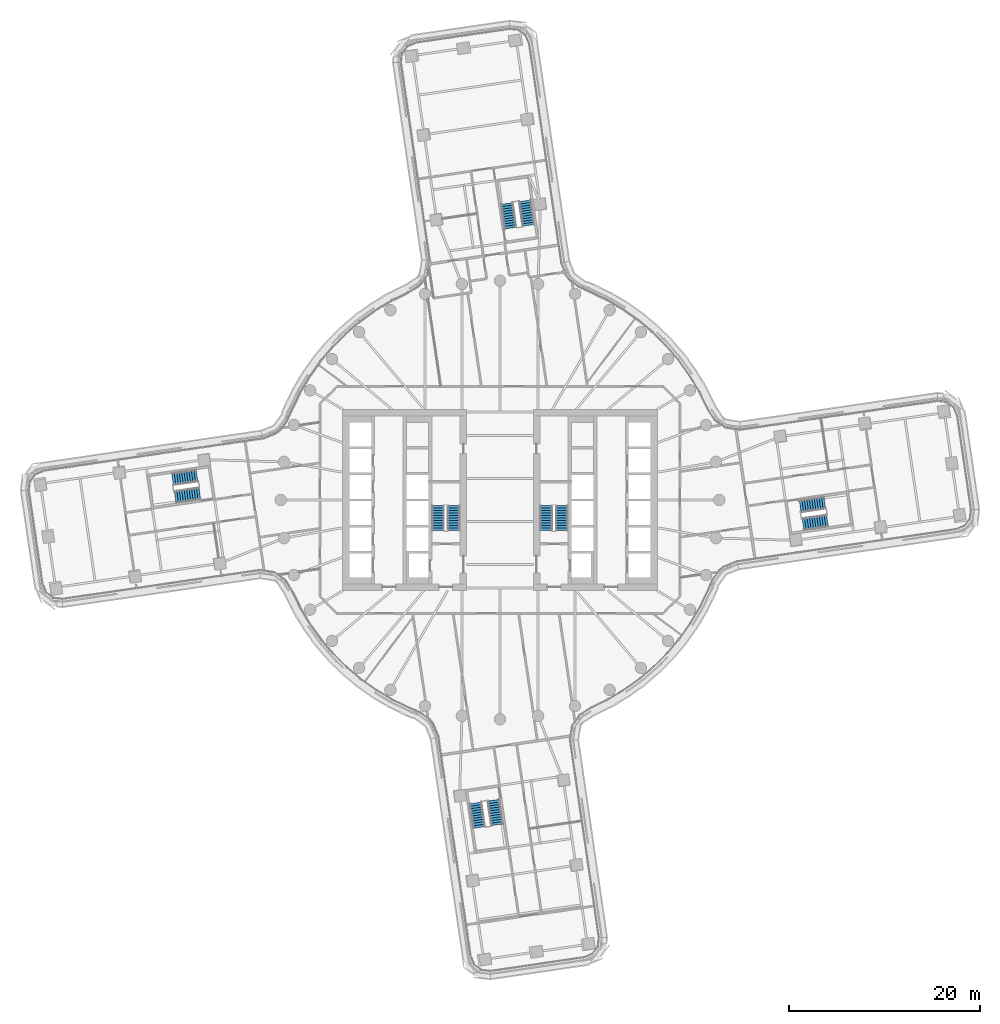
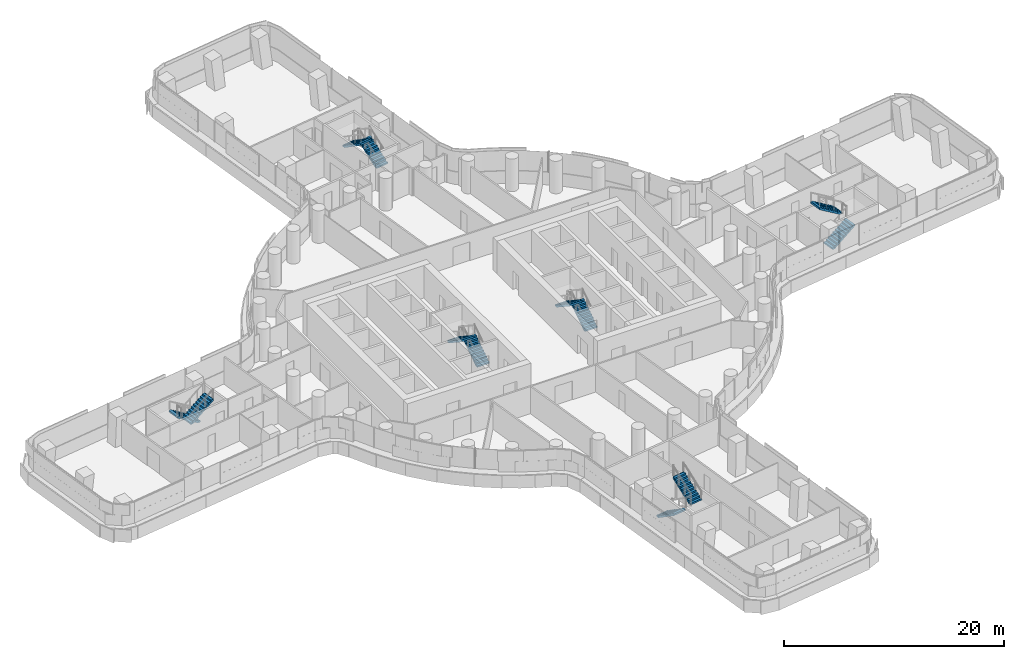
# One storey, part 24 of 31: 12 stair flights, 6 elements without a shape of their own.
"""IFC4 building model written with IfcOpenShell, lengths in metres."""

from ifc_helpers import new_model, si_unit, direction, frame, origin, place, context, subcontext, project, spatial, polyline, outline, extrude, material, type_object, element, aggregate, save


model = new_model("IFC4")

# Units and contexts
model_context = context("Model", 3, precision=1e-05, world=origin(), true_north=direction((0.0, 1.0)))
body_context = subcontext(model_context, "Body", "Model", "MODEL_VIEW")
ifc_project = project(units=[si_unit("LENGTHUNIT", "METRE"), si_unit("AREAUNIT", "SQUARE_METRE"), si_unit("VOLUMEUNIT", "CUBIC_METRE"), si_unit("PLANEANGLEUNIT", "RADIAN"), si_unit("MASSUNIT", "GRAM", prefix="KILO")], contexts=[model_context])

# Site, building, storey
site_placement = place(None, origin())
site = spatial("IfcSite", under=ifc_project, at=site_placement, CompositionType="ELEMENT")
building_placement = place(site_placement, origin())
building = spatial("IfcBuilding", under=site, at=building_placement, Name="Tamarind Cross Interchange Tower", CompositionType="ELEMENT")
storey_placement = place(building_placement, frame((0.0, 0.0, 64.0)))
storey = spatial("IfcBuildingStorey", under=building, at=storey_placement, Name="L14", CompositionType="ELEMENT", Elevation=64.0)

# Stair, stair flights
ifc_material_1 = material(Name="Exit stair")
stair_type = type_object("IfcStairType", Name="Exit stair", PredefinedType="HALF_TURN_STAIR", material=ifc_material_1)
stair_1_placement = place(storey_placement, origin())
stair_1 = element("IfcStair", 1, at=stair_1_placement, inside=storey, type_object=stair_type, Name="L14 exit stair ST1", PredefinedType="HALF_TURN_STAIR")
ifc_material_2 = material(Name="Exit stair flight")
stair_flight_type = type_object("IfcStairFlightType", Name="Exit stair flight", PredefinedType="STRAIGHT", material=ifc_material_2)
stair_flight_1_placement = place(storey_placement, frame((-4.85009765625, -3.199951171875, 0.0), z_axis=(0.0, 0.0, 1.0), x_axis=(0.0, 1.0, 0.0)))
stair_flight_1 = element("IfcStairFlight", 2, at=stair_flight_1_placement, type_object=stair_flight_type, Name="ST1 flight 1", NumberOfRisers=11, NumberOfTreads=10, PredefinedType="STRAIGHT", RiserHeight=0.170454545, TreadLength=0.26, context=body_context, shape_type="SweptSolid", body=[
    extrude(outline(polyline([(0.0, 0.0), (0.0, 0.17041015625), (0.260009765625, 0.17041015625), (0.260009765625, 0.3408203125), (0.52001953125, 0.3408203125), (0.52001953125, 0.511474609375), (0.780029296875, 0.511474609375), (0.780029296875, 0.681884765625), (1.0400390625, 0.681884765625), (1.0400390625, 0.852294921875), (1.300048828125, 0.852294921875), (1.300048828125, 1.022705078125), (1.56005859375, 1.022705078125), (1.56005859375, 1.193115234375), (1.820068359375, 1.193115234375), (1.820068359375, 1.363525390625), (2.080078125, 1.363525390625), (2.080078125, 1.5341796875), (2.340087890625, 1.5341796875), (2.340087890625, 1.70458984375), (2.60009765625, 1.70458984375), (2.60009765625, 1.875), (2.60009765625, 1.525390625), (0.2734375, 0.0), (0.0, 0.0)])), frame((0.0, 0.64990234375, 0.0), z_axis=(0.0, -1.0, 0.0), x_axis=(1.0, 0.0, 0.0)), (0.0, 0.0, 1.0), 1.300048828125),
])
stair_flight_2_placement = place(storey_placement, frame((-6.5, -0.60009765625, 1.875), z_axis=(0.0, 0.0, 1.0), x_axis=(0.0, -1.0, 0.0)))
stair_flight_2 = element("IfcStairFlight", 3, at=stair_flight_2_placement, type_object=stair_flight_type, Name="ST1 flight 2", NumberOfRisers=11, NumberOfTreads=10, PredefinedType="STRAIGHT", RiserHeight=0.170454545, TreadLength=0.26, context=body_context, shape_type="SweptSolid", body=[
    extrude(outline(polyline([(0.0, 0.0), (0.0, 0.17041015625), (0.260009765625, 0.17041015625), (0.260009765625, 0.3408203125), (0.52001953125, 0.3408203125), (0.52001953125, 0.511474609375), (0.780029296875, 0.511474609375), (0.780029296875, 0.681884765625), (1.0400390625, 0.681884765625), (1.0400390625, 0.852294921875), (1.300048828125, 0.852294921875), (1.300048828125, 1.022705078125), (1.56005859375, 1.022705078125), (1.56005859375, 1.193115234375), (1.820068359375, 1.193115234375), (1.820068359375, 1.363525390625), (2.080078125, 1.363525390625), (2.080078125, 1.5341796875), (2.340087890625, 1.5341796875), (2.340087890625, 1.70458984375), (2.60009765625, 1.70458984375), (2.60009765625, 1.7548828125), (2.612060546875, 1.7548828125), (2.612060546875, 1.533203125), (0.2734375, 0.0), (0.0, 0.0)])), frame((0.0, 0.64990234375, 0.0), z_axis=(0.0, -1.0, 0.0), x_axis=(1.0, 0.0, 0.0)), (0.0, 0.0, 1.0), 1.300048828125),
])
aggregate(stair_1, [stair_flight_1, stair_flight_2])

stair_2_placement = place(storey_placement, origin())
stair_2 = element("IfcStair", 4, at=stair_2_placement, inside=storey, type_object=stair_type, Name="L14 exit stair ST2", PredefinedType="HALF_TURN_STAIR")
stair_flight_3_placement = place(storey_placement, frame((6.5, -3.199951171875, 0.0), z_axis=(0.0, 0.0, 1.0), x_axis=(0.0, 1.0, 0.0)))
stair_flight_3 = element("IfcStairFlight", 5, at=stair_flight_3_placement, type_object=stair_flight_type, Name="ST2 flight 1", NumberOfRisers=11, NumberOfTreads=10, PredefinedType="STRAIGHT", RiserHeight=0.170454545, TreadLength=0.26, context=body_context, shape_type="SweptSolid", body=[
    extrude(outline(polyline([(0.0, 0.0), (0.0, 0.17041015625), (0.260009765625, 0.17041015625), (0.260009765625, 0.3408203125), (0.52001953125, 0.3408203125), (0.52001953125, 0.511474609375), (0.780029296875, 0.511474609375), (0.780029296875, 0.681884765625), (1.0400390625, 0.681884765625), (1.0400390625, 0.852294921875), (1.300048828125, 0.852294921875), (1.300048828125, 1.022705078125), (1.56005859375, 1.022705078125), (1.56005859375, 1.193115234375), (1.820068359375, 1.193115234375), (1.820068359375, 1.363525390625), (2.080078125, 1.363525390625), (2.080078125, 1.5341796875), (2.340087890625, 1.5341796875), (2.340087890625, 1.70458984375), (2.60009765625, 1.70458984375), (2.60009765625, 1.875), (2.60009765625, 1.525390625), (0.2734375, 0.0), (0.0, 0.0)])), frame((0.0, 0.64990234375, 0.0), z_axis=(0.0, -1.0, 0.0), x_axis=(1.0, 0.0, 0.0)), (0.0, 0.0, 1.0), 1.300048828125),
])
stair_flight_4_placement = place(storey_placement, frame((4.85009765625, -0.60009765625, 1.875), z_axis=(0.0, 0.0, 1.0), x_axis=(0.0, -1.0, 0.0)))
stair_flight_4 = element("IfcStairFlight", 6, at=stair_flight_4_placement, type_object=stair_flight_type, Name="ST2 flight 2", NumberOfRisers=11, NumberOfTreads=10, PredefinedType="STRAIGHT", RiserHeight=0.170454545, TreadLength=0.26, context=body_context, shape_type="SweptSolid", body=[
    extrude(outline(polyline([(0.0, 0.0), (0.0, 0.17041015625), (0.260009765625, 0.17041015625), (0.260009765625, 0.3408203125), (0.52001953125, 0.3408203125), (0.52001953125, 0.511474609375), (0.780029296875, 0.511474609375), (0.780029296875, 0.681884765625), (1.0400390625, 0.681884765625), (1.0400390625, 0.852294921875), (1.300048828125, 0.852294921875), (1.300048828125, 1.022705078125), (1.56005859375, 1.022705078125), (1.56005859375, 1.193115234375), (1.820068359375, 1.193115234375), (1.820068359375, 1.363525390625), (2.080078125, 1.363525390625), (2.080078125, 1.5341796875), (2.340087890625, 1.5341796875), (2.340087890625, 1.70458984375), (2.60009765625, 1.70458984375), (2.60009765625, 1.7548828125), (2.612060546875, 1.7548828125), (2.612060546875, 1.533203125), (0.2734375, 0.0), (0.0, 0.0)])), frame((0.0, 0.64990234375, 0.0), z_axis=(0.0, -1.0, 0.0), x_axis=(1.0, 0.0, 0.0)), (0.0, 0.0, 1.0), 1.300048828125),
])
aggregate(stair_2, [stair_flight_3, stair_flight_4])

stair_3_placement = place(storey_placement, origin())
stair_3 = element("IfcStair", 7, at=stair_3_placement, inside=storey, type_object=stair_type, Name="L14 exit stair ST3", PredefinedType="HALF_TURN_STAIR")
stair_flight_5_placement = place(storey_placement, frame((31.775390625, -2.55615234375, 0.0), z_axis=(0.0, 0.0, 1.0), x_axis=(0.989378136803, 0.14536472205, 0.0)))
stair_flight_5 = element("IfcStairFlight", 8, at=stair_flight_5_placement, type_object=stair_flight_type, Name="ST3 flight 1", NumberOfRisers=11, NumberOfTreads=10, PredefinedType="STRAIGHT", RiserHeight=0.170454545, TreadLength=0.26, context=body_context, shape_type="SweptSolid", body=[
    extrude(outline(polyline([(0.0, 0.0), (0.0, 0.17041015625), (0.260009765625, 0.17041015625), (0.260009765625, 0.3408203125), (0.52001953125, 0.3408203125), (0.52001953125, 0.511474609375), (0.780029296875, 0.511474609375), (0.780029296875, 0.681884765625), (1.0400390625, 0.681884765625), (1.0400390625, 0.852294921875), (1.300048828125, 0.852294921875), (1.300048828125, 1.022705078125), (1.56005859375, 1.022705078125), (1.56005859375, 1.193115234375), (1.820068359375, 1.193115234375), (1.820068359375, 1.363525390625), (2.080078125, 1.363525390625), (2.080078125, 1.5341796875), (2.340087890625, 1.5341796875), (2.340087890625, 1.70458984375), (2.60009765625, 1.70458984375), (2.60009765625, 1.875), (2.60009765625, 1.525390625), (0.2734375, 0.0), (0.0, 0.0)])), frame((0.0, 0.64990234375, 0.0), z_axis=(0.0, -1.0, 0.0), x_axis=(1.0, 0.0, 0.0)), (0.0, 0.0, 1.0), 1.300048828125),
])
stair_flight_6_placement = place(storey_placement, frame((34.071533203125, -0.29833984375, 1.875), z_axis=(0.0, 0.0, 1.0), x_axis=(-0.989378136803, -0.14536472205, 0.0)))
stair_flight_6 = element("IfcStairFlight", 9, at=stair_flight_6_placement, type_object=stair_flight_type, Name="ST3 flight 2", NumberOfRisers=11, NumberOfTreads=10, PredefinedType="STRAIGHT", RiserHeight=0.170454545, TreadLength=0.26, context=body_context, shape_type="SweptSolid", body=[
    extrude(outline(polyline([(0.0, 0.0), (0.0, 0.17041015625), (0.260009765625, 0.17041015625), (0.260009765625, 0.3408203125), (0.52001953125, 0.3408203125), (0.52001953125, 0.511474609375), (0.780029296875, 0.511474609375), (0.780029296875, 0.681884765625), (1.0400390625, 0.681884765625), (1.0400390625, 0.852294921875), (1.300048828125, 0.852294921875), (1.300048828125, 1.022705078125), (1.56005859375, 1.022705078125), (1.56005859375, 1.193115234375), (1.820068359375, 1.193115234375), (1.820068359375, 1.363525390625), (2.080078125, 1.363525390625), (2.080078125, 1.5341796875), (2.340087890625, 1.5341796875), (2.340087890625, 1.70458984375), (2.60009765625, 1.70458984375), (2.60009765625, 1.7548828125), (2.612060546875, 1.7548828125), (2.612060546875, 1.533203125), (0.2734375, 0.0), (0.0, 0.0)])), frame((0.0, 0.64990234375, 0.0), z_axis=(0.0, -1.0, 0.0), x_axis=(1.0, 0.0, 0.0)), (0.0, 0.0, 1.0), 1.300048828125),
])
aggregate(stair_3, [stair_flight_5, stair_flight_6])

stair_4_placement = place(storey_placement, origin())
stair_4 = element("IfcStair", 10, at=stair_4_placement, inside=storey, type_object=stair_type, Name="L14 exit stair ST4", PredefinedType="HALF_TURN_STAIR")
stair_flight_7_placement = place(storey_placement, frame((2.9921875, 28.807373046875, 0.0), z_axis=(0.0, 0.0, 1.0), x_axis=(-0.14536472205, 0.989378136803, 0.0)))
stair_flight_7 = element("IfcStairFlight", 11, at=stair_flight_7_placement, type_object=stair_flight_type, Name="ST4 flight 1", NumberOfRisers=11, NumberOfTreads=10, PredefinedType="STRAIGHT", RiserHeight=0.170454545, TreadLength=0.26, context=body_context, shape_type="SweptSolid", body=[
    extrude(outline(polyline([(0.0, 0.0), (0.0, 0.17041015625), (0.260009765625, 0.17041015625), (0.260009765625, 0.3408203125), (0.52001953125, 0.3408203125), (0.52001953125, 0.511474609375), (0.780029296875, 0.511474609375), (0.780029296875, 0.681884765625), (1.0400390625, 0.681884765625), (1.0400390625, 0.852294921875), (1.300048828125, 0.852294921875), (1.300048828125, 1.022705078125), (1.56005859375, 1.022705078125), (1.56005859375, 1.193115234375), (1.820068359375, 1.193115234375), (1.820068359375, 1.363525390625), (2.080078125, 1.363525390625), (2.080078125, 1.5341796875), (2.340087890625, 1.5341796875), (2.340087890625, 1.70458984375), (2.60009765625, 1.70458984375), (2.60009765625, 1.875), (2.60009765625, 1.525390625), (0.2734375, 0.0), (0.0, 0.0)])), frame((0.0, 0.64990234375, 0.0), z_axis=(0.0, -1.0, 0.0), x_axis=(1.0, 0.0, 0.0)), (0.0, 0.0, 1.0), 1.300048828125),
])
stair_flight_8_placement = place(storey_placement, frame((0.734375, 31.103515625, 1.875), z_axis=(0.0, 0.0, 1.0), x_axis=(0.14536472205, -0.989378136803, 0.0)))
stair_flight_8 = element("IfcStairFlight", 12, at=stair_flight_8_placement, type_object=stair_flight_type, Name="ST4 flight 2", NumberOfRisers=11, NumberOfTreads=10, PredefinedType="STRAIGHT", RiserHeight=0.170454545, TreadLength=0.26, context=body_context, shape_type="SweptSolid", body=[
    extrude(outline(polyline([(0.0, 0.0), (0.0, 0.17041015625), (0.260009765625, 0.17041015625), (0.260009765625, 0.3408203125), (0.52001953125, 0.3408203125), (0.52001953125, 0.511474609375), (0.780029296875, 0.511474609375), (0.780029296875, 0.681884765625), (1.0400390625, 0.681884765625), (1.0400390625, 0.852294921875), (1.300048828125, 0.852294921875), (1.300048828125, 1.022705078125), (1.56005859375, 1.022705078125), (1.56005859375, 1.193115234375), (1.820068359375, 1.193115234375), (1.820068359375, 1.363525390625), (2.080078125, 1.363525390625), (2.080078125, 1.5341796875), (2.340087890625, 1.5341796875), (2.340087890625, 1.70458984375), (2.60009765625, 1.70458984375), (2.60009765625, 1.7548828125), (2.612060546875, 1.7548828125), (2.612060546875, 1.533203125), (0.2734375, 0.0), (0.0, 0.0)])), frame((0.0, 0.64990234375, 0.0), z_axis=(0.0, -1.0, 0.0), x_axis=(1.0, 0.0, 0.0)), (0.0, 0.0, 1.0), 1.300048828125),
])
aggregate(stair_4, [stair_flight_7, stair_flight_8])

stair_5_placement = place(storey_placement, origin())
stair_5 = element("IfcStair", 13, at=stair_5_placement, inside=storey, type_object=stair_type, Name="L14 exit stair ST5", PredefinedType="HALF_TURN_STAIR")
stair_flight_9_placement = place(storey_placement, frame((-31.775390625, 2.55615234375, 0.0), z_axis=(0.0, 0.0, 1.0), x_axis=(-0.989378136803, -0.14536472205, 0.0)))
stair_flight_9 = element("IfcStairFlight", 14, at=stair_flight_9_placement, type_object=stair_flight_type, Name="ST5 flight 1", NumberOfRisers=11, NumberOfTreads=10, PredefinedType="STRAIGHT", RiserHeight=0.170454545, TreadLength=0.26, context=body_context, shape_type="SweptSolid", body=[
    extrude(outline(polyline([(0.0, 0.0), (0.0, 0.17041015625), (0.260009765625, 0.17041015625), (0.260009765625, 0.3408203125), (0.52001953125, 0.3408203125), (0.52001953125, 0.511474609375), (0.780029296875, 0.511474609375), (0.780029296875, 0.681884765625), (1.0400390625, 0.681884765625), (1.0400390625, 0.852294921875), (1.300048828125, 0.852294921875), (1.300048828125, 1.022705078125), (1.56005859375, 1.022705078125), (1.56005859375, 1.193115234375), (1.820068359375, 1.193115234375), (1.820068359375, 1.363525390625), (2.080078125, 1.363525390625), (2.080078125, 1.5341796875), (2.340087890625, 1.5341796875), (2.340087890625, 1.70458984375), (2.60009765625, 1.70458984375), (2.60009765625, 1.875), (2.60009765625, 1.525390625), (0.2734375, 0.0), (0.0, 0.0)])), frame((0.0, 0.64990234375, 0.0), z_axis=(0.0, -1.0, 0.0), x_axis=(1.0, 0.0, 0.0)), (0.0, 0.0, 1.0), 1.300048828125),
])
stair_flight_10_placement = place(storey_placement, frame((-34.071533203125, 0.29833984375, 1.875), z_axis=(0.0, 0.0, 1.0), x_axis=(0.989378136803, 0.14536472205, 0.0)))
stair_flight_10 = element("IfcStairFlight", 15, at=stair_flight_10_placement, type_object=stair_flight_type, Name="ST5 flight 2", NumberOfRisers=11, NumberOfTreads=10, PredefinedType="STRAIGHT", RiserHeight=0.170454545, TreadLength=0.26, context=body_context, shape_type="SweptSolid", body=[
    extrude(outline(polyline([(0.0, 0.0), (0.0, 0.17041015625), (0.260009765625, 0.17041015625), (0.260009765625, 0.3408203125), (0.52001953125, 0.3408203125), (0.52001953125, 0.511474609375), (0.780029296875, 0.511474609375), (0.780029296875, 0.681884765625), (1.0400390625, 0.681884765625), (1.0400390625, 0.852294921875), (1.300048828125, 0.852294921875), (1.300048828125, 1.022705078125), (1.56005859375, 1.022705078125), (1.56005859375, 1.193115234375), (1.820068359375, 1.193115234375), (1.820068359375, 1.363525390625), (2.080078125, 1.363525390625), (2.080078125, 1.5341796875), (2.340087890625, 1.5341796875), (2.340087890625, 1.70458984375), (2.60009765625, 1.70458984375), (2.60009765625, 1.7548828125), (2.612060546875, 1.7548828125), (2.612060546875, 1.533203125), (0.2734375, 0.0), (0.0, 0.0)])), frame((0.0, 0.64990234375, 0.0), z_axis=(0.0, -1.0, 0.0), x_axis=(1.0, 0.0, 0.0)), (0.0, 0.0, 1.0), 1.300048828125),
])
aggregate(stair_5, [stair_flight_9, stair_flight_10])

stair_6_placement = place(storey_placement, origin())
stair_6 = element("IfcStair", 16, at=stair_6_placement, inside=storey, type_object=stair_type, Name="L14 exit stair ST6", PredefinedType="HALF_TURN_STAIR")
stair_flight_11_placement = place(storey_placement, frame((-2.55615234375, -31.775390625, 0.0), z_axis=(0.0, 0.0, 1.0), x_axis=(0.14536472205, -0.989378136803, 0.0)))
stair_flight_11 = element("IfcStairFlight", 17, at=stair_flight_11_placement, type_object=stair_flight_type, Name="ST6 flight 1", NumberOfRisers=11, NumberOfTreads=10, PredefinedType="STRAIGHT", RiserHeight=0.170454545, TreadLength=0.26, context=body_context, shape_type="SweptSolid", body=[
    extrude(outline(polyline([(0.0, 0.0), (0.0, 0.17041015625), (0.260009765625, 0.17041015625), (0.260009765625, 0.3408203125), (0.52001953125, 0.3408203125), (0.52001953125, 0.511474609375), (0.780029296875, 0.511474609375), (0.780029296875, 0.681884765625), (1.0400390625, 0.681884765625), (1.0400390625, 0.852294921875), (1.300048828125, 0.852294921875), (1.300048828125, 1.022705078125), (1.56005859375, 1.022705078125), (1.56005859375, 1.193115234375), (1.820068359375, 1.193115234375), (1.820068359375, 1.363525390625), (2.080078125, 1.363525390625), (2.080078125, 1.5341796875), (2.340087890625, 1.5341796875), (2.340087890625, 1.70458984375), (2.60009765625, 1.70458984375), (2.60009765625, 1.875), (2.60009765625, 1.525390625), (0.2734375, 0.0), (0.0, 0.0)])), frame((0.0, 0.64990234375, 0.0), z_axis=(0.0, -1.0, 0.0), x_axis=(1.0, 0.0, 0.0)), (0.0, 0.0, 1.0), 1.300048828125),
])
stair_flight_12_placement = place(storey_placement, frame((-0.29833984375, -34.071533203125, 1.875), z_axis=(0.0, 0.0, 1.0), x_axis=(-0.14536472205, 0.989378136803, 0.0)))
stair_flight_12 = element("IfcStairFlight", 18, at=stair_flight_12_placement, type_object=stair_flight_type, Name="ST6 flight 2", NumberOfRisers=11, NumberOfTreads=10, PredefinedType="STRAIGHT", RiserHeight=0.170454545, TreadLength=0.26, context=body_context, shape_type="SweptSolid", body=[
    extrude(outline(polyline([(0.0, 0.0), (0.0, 0.17041015625), (0.260009765625, 0.17041015625), (0.260009765625, 0.3408203125), (0.52001953125, 0.3408203125), (0.52001953125, 0.511474609375), (0.780029296875, 0.511474609375), (0.780029296875, 0.681884765625), (1.0400390625, 0.681884765625), (1.0400390625, 0.852294921875), (1.300048828125, 0.852294921875), (1.300048828125, 1.022705078125), (1.56005859375, 1.022705078125), (1.56005859375, 1.193115234375), (1.820068359375, 1.193115234375), (1.820068359375, 1.363525390625), (2.080078125, 1.363525390625), (2.080078125, 1.5341796875), (2.340087890625, 1.5341796875), (2.340087890625, 1.70458984375), (2.60009765625, 1.70458984375), (2.60009765625, 1.7548828125), (2.612060546875, 1.7548828125), (2.612060546875, 1.533203125), (0.2734375, 0.0), (0.0, 0.0)])), frame((0.0, 0.64990234375, 0.0), z_axis=(0.0, -1.0, 0.0), x_axis=(1.0, 0.0, 0.0)), (0.0, 0.0, 1.0), 1.300048828125),
])
aggregate(stair_6, [stair_flight_11, stair_flight_12])

save(model, "model.ifc")
